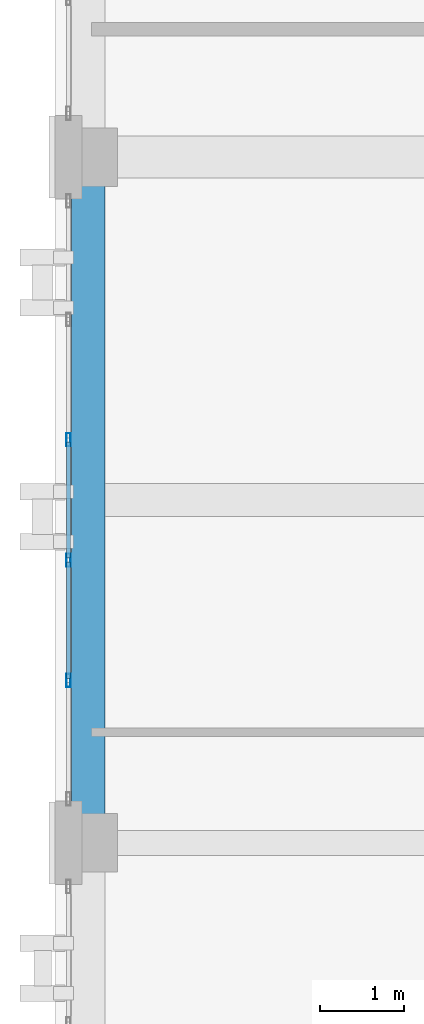
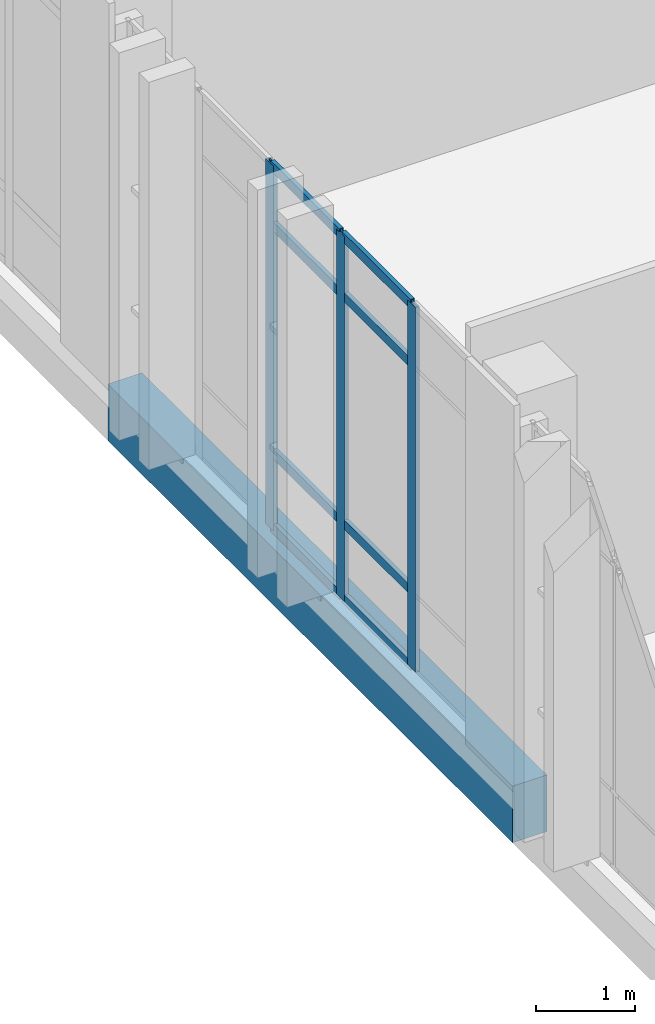
# One storey, part 74 of 189: 11 members, 1 beam, 1 element without a shape of its own.
"""IFC4 building model written with IfcOpenShell, lengths in metres."""

from ifc_helpers import new_model, si_unit, direction, frame, origin, origin_2d, place, context, subcontext, project, spatial, rectangle, hollow_rectangle, extrude, material, layer, layer_set, material_profile, profile_set, type_object, element, aggregate, save


model = new_model("IFC4")

# Units and contexts
model_context = context("Model", 3, precision=1e-05, world=origin(), true_north=direction((0.0, 1.0)))
body_context = subcontext(model_context, "Body", "Model", "MODEL_VIEW")
ifc_project = project(units=[si_unit("LENGTHUNIT", "METRE"), si_unit("AREAUNIT", "SQUARE_METRE"), si_unit("VOLUMEUNIT", "CUBIC_METRE"), si_unit("PLANEANGLEUNIT", "RADIAN"), si_unit("MASSUNIT", "GRAM", prefix="KILO")], contexts=[model_context])

# Site, building, storey
site_placement = place(None, origin())
site = spatial("IfcSite", under=ifc_project, at=site_placement, CompositionType="ELEMENT")
building_placement = place(site_placement, origin())
building = spatial("IfcBuilding", under=site, at=building_placement, Name="Qalavern Law Courts", CompositionType="ELEMENT")
storey_placement = place(building_placement, frame((0.0, 0.0, 5.39990234375)))
storey = spatial("IfcBuildingStorey", under=building, at=storey_placement, Name="L01", CompositionType="ELEMENT", Elevation=5.39990234375)

# Curtain wall, members
ifc_material_1 = material(Name="Anodised aluminium and insulated glazing", Category="aluminium")
ifc_layer = layer(ifc_material_1, 0.172119140625)
ifc_layer_set = layer_set([ifc_layer], Name="Anodised aluminium and insulated glazing")
curtain_wall_type = type_object("IfcCurtainWallType", Name="ENV-CW-COURT", PredefinedType="USERDEFINED", material=ifc_layer_set)
curtain_wall_placement = place(storey_placement, origin())
curtain_wall = element("IfcCurtainWall", 1, at=curtain_wall_placement, inside=storey, type_object=curtain_wall_type, Name="V3 unitised curtain wall L01 west 2", ObjectType="UNITISED CURTAIN WALL", PredefinedType="USERDEFINED")
ifc_material_2 = material(Name="Anodised aluminium", Category="aluminium")
ifc_material_profile_1 = material_profile(ifc_material_2, hollow_rectangle(XDim=0.048095703125, YDim=0.159912109375, WallThickness=0.00390625, at=origin_2d()), Name="ALU MULLION 48x160")
ifc_profile_set_1 = profile_set([ifc_material_profile_1], Name="Anodised aluminium")
member_type_1 = type_object("IfcMemberType", Name="ENV-CWM-48x160", PredefinedType="MULLION", material=ifc_profile_set_1)
member_1_placement = place(storey_placement, frame((2.16259765625, 84.219970703125, 0.0), z_axis=(0.0, 0.0, 1.0), x_axis=(1.0, 0.0, 0.0)))
member_1 = element("IfcMember", 2, at=member_1_placement, type_object=member_type_1, Name="CW-03 mullion 3", PredefinedType="MULLION", context=body_context, shape_type="SweptSolid", body=[
    extrude(hollow_rectangle(XDim=0.048095703125, YDim=0.159912109375, WallThickness=0.00390625, at=origin_2d()), origin(), (0.0, 0.0, 1.0), 4.510009765625),
])
member_2_placement = place(storey_placement, frame((2.16259765625, 82.780029296875, 0.0), z_axis=(0.0, 0.0, 1.0), x_axis=(1.0, 0.0, 0.0)))
member_2 = element("IfcMember", 3, at=member_2_placement, type_object=member_type_1, Name="CW-03 mullion 4", PredefinedType="MULLION", context=body_context, shape_type="SweptSolid", body=[
    extrude(hollow_rectangle(XDim=0.048095703125, YDim=0.159912109375, WallThickness=0.00390625, at=origin_2d()), origin(), (0.0, 0.0, 1.0), 4.510009765625),
])
member_3_placement = place(storey_placement, frame((2.16259765625, 81.340087890625, 0.0), z_axis=(0.0, 0.0, 1.0), x_axis=(1.0, 0.0, 0.0)))
member_3 = element("IfcMember", 4, at=member_3_placement, type_object=member_type_1, Name="CW-03 mullion 5", PredefinedType="MULLION", context=body_context, shape_type="SweptSolid", body=[
    extrude(hollow_rectangle(XDim=0.048095703125, YDim=0.159912109375, WallThickness=0.00390625, at=origin_2d()), origin(), (0.0, 0.0, 1.0), 4.510009765625),
])
ifc_material_profile_2 = material_profile(ifc_material_2, hollow_rectangle(XDim=0.048095703125, YDim=0.1201171875, WallThickness=0.00390625, at=origin_2d()), Name="ALU TRANSOM 48x120")
ifc_profile_set_2 = profile_set([ifc_material_profile_2], Name="Anodised aluminium")
member_type_2 = type_object("IfcMemberType", Name="ENV-CWT-48x120", PredefinedType="USERDEFINED", material=ifc_profile_set_2)
member_4_placement = place(storey_placement, frame((2.16259765625, 84.196044921875, 0.024169921875), z_axis=(0.0, -1.0, 0.0), x_axis=(1.0, 0.0, 0.0)))
member_4 = element("IfcMember", 5, at=member_4_placement, type_object=member_type_2, Name="CW-03 transom 3.1", ObjectType="TRANSOM", PredefinedType="USERDEFINED", context=body_context, shape_type="SweptSolid", body=[
    extrude(hollow_rectangle(XDim=0.048095703125, YDim=0.1201171875, WallThickness=0.00390625, at=origin_2d()), origin(), (0.0, 0.0, 1.0), 1.39208984375),
])
member_5_placement = place(storey_placement, frame((2.16259765625, 84.196044921875, 0.9501953125), z_axis=(0.0, -1.0, 0.0), x_axis=(1.0, 0.0, 0.0)))
member_5 = element("IfcMember", 6, at=member_5_placement, type_object=member_type_2, Name="CW-03 transom 3.2", ObjectType="TRANSOM", PredefinedType="USERDEFINED", context=body_context, shape_type="SweptSolid", body=[
    extrude(hollow_rectangle(XDim=0.048095703125, YDim=0.1201171875, WallThickness=0.00390625, at=origin_2d()), origin(), (0.0, 0.0, 1.0), 1.39208984375),
])
member_6_placement = place(storey_placement, frame((2.16259765625, 84.196044921875, 3.760009765625), z_axis=(0.0, -1.0, 0.0), x_axis=(1.0, 0.0, 0.0)))
member_6 = element("IfcMember", 7, at=member_6_placement, type_object=member_type_2, Name="CW-03 transom 3.3", ObjectType="TRANSOM", PredefinedType="USERDEFINED", context=body_context, shape_type="SweptSolid", body=[
    extrude(hollow_rectangle(XDim=0.048095703125, YDim=0.1201171875, WallThickness=0.00390625, at=origin_2d()), origin(), (0.0, 0.0, 1.0), 1.39208984375),
])
member_7_placement = place(storey_placement, frame((2.16259765625, 84.196044921875, 4.486083984375), z_axis=(0.0, -1.0, 0.0), x_axis=(1.0, 0.0, 0.0)))
member_7 = element("IfcMember", 8, at=member_7_placement, type_object=member_type_2, Name="CW-03 transom 3.4", ObjectType="TRANSOM", PredefinedType="USERDEFINED", context=body_context, shape_type="SweptSolid", body=[
    extrude(hollow_rectangle(XDim=0.048095703125, YDim=0.1201171875, WallThickness=0.00390625, at=origin_2d()), origin(), (0.0, 0.0, 1.0), 1.39208984375),
])
member_8_placement = place(storey_placement, frame((2.16259765625, 82.756103515625, 0.024169921875), z_axis=(0.0, -1.0, 0.0), x_axis=(1.0, 0.0, 0.0)))
member_8 = element("IfcMember", 9, at=member_8_placement, type_object=member_type_2, Name="CW-03 transom 4.1", ObjectType="TRANSOM", PredefinedType="USERDEFINED", context=body_context, shape_type="SweptSolid", body=[
    extrude(hollow_rectangle(XDim=0.048095703125, YDim=0.1201171875, WallThickness=0.00390625, at=origin_2d()), origin(), (0.0, 0.0, 1.0), 1.39208984375),
])
member_9_placement = place(storey_placement, frame((2.16259765625, 82.756103515625, 0.9501953125), z_axis=(0.0, -1.0, 0.0), x_axis=(1.0, 0.0, 0.0)))
member_9 = element("IfcMember", 10, at=member_9_placement, type_object=member_type_2, Name="CW-03 transom 4.2", ObjectType="TRANSOM", PredefinedType="USERDEFINED", context=body_context, shape_type="SweptSolid", body=[
    extrude(hollow_rectangle(XDim=0.048095703125, YDim=0.1201171875, WallThickness=0.00390625, at=origin_2d()), origin(), (0.0, 0.0, 1.0), 1.39208984375),
])
member_10_placement = place(storey_placement, frame((2.16259765625, 82.756103515625, 3.760009765625), z_axis=(0.0, -1.0, 0.0), x_axis=(1.0, 0.0, 0.0)))
member_10 = element("IfcMember", 11, at=member_10_placement, type_object=member_type_2, Name="CW-03 transom 4.3", ObjectType="TRANSOM", PredefinedType="USERDEFINED", context=body_context, shape_type="SweptSolid", body=[
    extrude(hollow_rectangle(XDim=0.048095703125, YDim=0.1201171875, WallThickness=0.00390625, at=origin_2d()), origin(), (0.0, 0.0, 1.0), 1.39208984375),
])
member_11_placement = place(storey_placement, frame((2.16259765625, 82.756103515625, 4.486083984375), z_axis=(0.0, -1.0, 0.0), x_axis=(1.0, 0.0, 0.0)))
member_11 = element("IfcMember", 12, at=member_11_placement, type_object=member_type_2, Name="CW-03 transom 4.4", ObjectType="TRANSOM", PredefinedType="USERDEFINED", context=body_context, shape_type="SweptSolid", body=[
    extrude(hollow_rectangle(XDim=0.048095703125, YDim=0.1201171875, WallThickness=0.00390625, at=origin_2d()), origin(), (0.0, 0.0, 1.0), 1.39208984375),
])
aggregate(curtain_wall, [member_1, member_2, member_3, member_4, member_5, member_6, member_7, member_8, member_9, member_10, member_11])

# Beam
ifc_material_3 = material(Name="Concrete C40/50", Category="concrete")
ifc_material_profile_3 = material_profile(ifc_material_3, rectangle(XDim=0.39990234375, YDim=0.699951171875, at=origin_2d()), Name="RC 400x700")
ifc_profile_set_3 = profile_set([ifc_material_profile_3], Name="Concrete C40/50")
beam_type = type_object("IfcBeamType", Name="STR-SP-RC400x700", PredefinedType="SPANDREL", material=ifc_profile_set_3)
beam_placement = place(storey_placement, frame((2.39990234375, 79.39990234375, -0.64990234375), z_axis=(0.0, 1.0, 0.0), x_axis=(-1.0, 0.0, 0.0)))
element("IfcBeam", 13, at=beam_placement, inside=storey, type_object=beam_type, Name="V3 Y-beam 1-6 L01", PredefinedType="SPANDREL", context=body_context, shape_type="SweptSolid", body=[
    extrude(rectangle(XDim=0.39990234375, YDim=0.699951171875, at=origin_2d()), origin(), (0.0, 0.0, 1.0), 8.2001953125),
])

save(model, "model.ifc")
